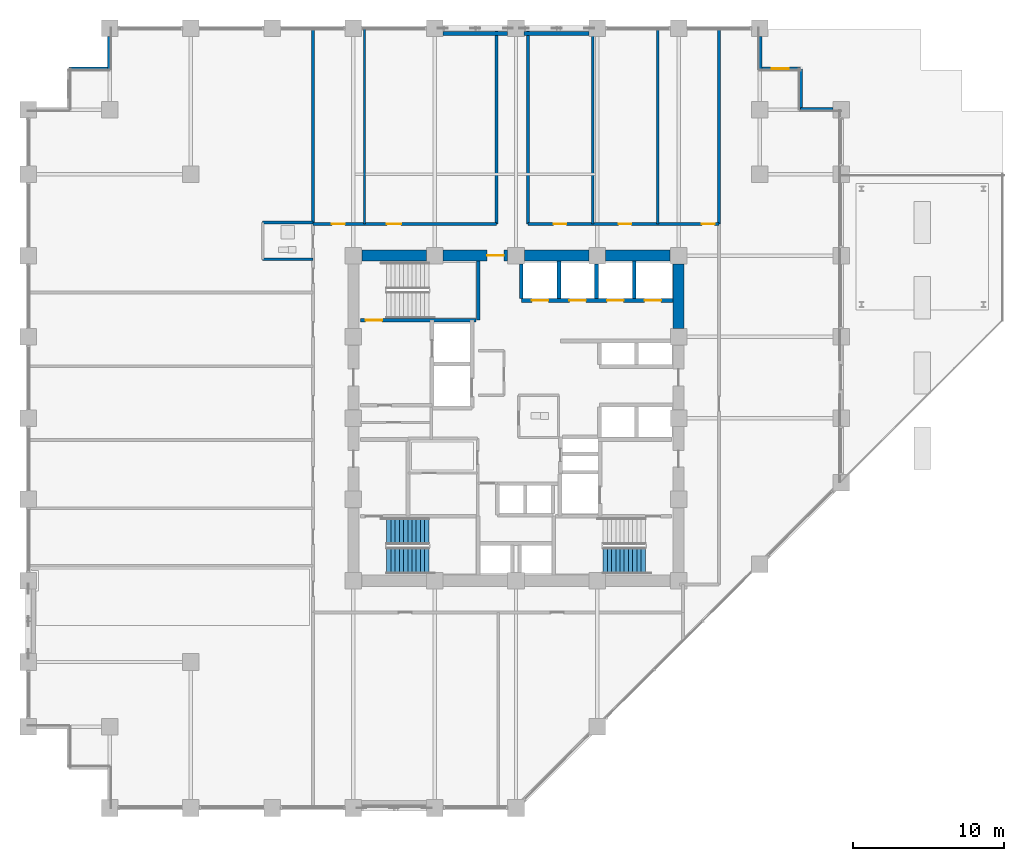
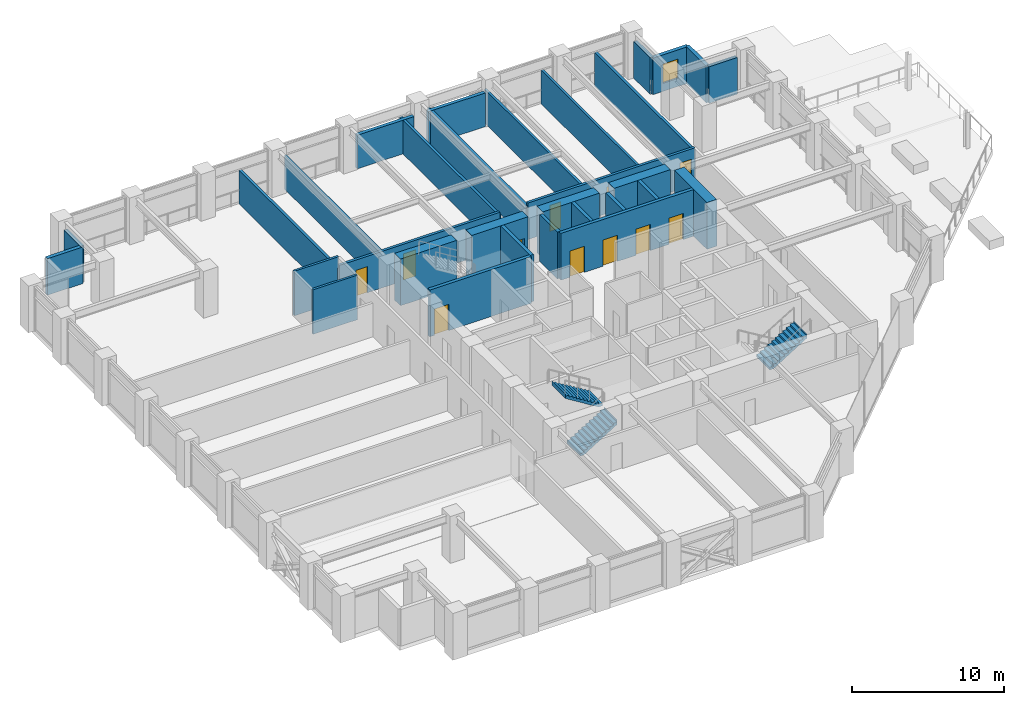
# One storey, part 22 of 30: 31 walls, 11 doors, 3 stair flights, 1 window, 12 openings, 2 elements without a shape of their own.
"""IFC4 building model written with IfcOpenShell, lengths in metres."""

from ifc_helpers import new_model, si_unit, direction, frame, frame_2d, origin, place, context, subcontext, project, spatial, polyline, rectangle, outline, extrude, material, layer, layer_set, type_object, element, fill, aggregate, save


model = new_model("IFC4")

# Units and contexts
model_context = context("Model", 3, precision=1e-05, world=origin(), true_north=direction((0.0, 1.0)))
body_context = subcontext(model_context, "Body", "Model", "MODEL_VIEW")
ifc_project = project(units=[si_unit("LENGTHUNIT", "METRE"), si_unit("AREAUNIT", "SQUARE_METRE"), si_unit("VOLUMEUNIT", "CUBIC_METRE"), si_unit("PLANEANGLEUNIT", "RADIAN"), si_unit("MASSUNIT", "GRAM", prefix="KILO")], contexts=[model_context])

# Site, building, storey
site_placement = place(None, origin())
site = spatial("IfcSite", under=ifc_project, at=site_placement, CompositionType="ELEMENT")
building_placement = place(site_placement, origin())
building = spatial("IfcBuilding", under=site, at=building_placement, Name="Surkhivell Harbour Commons", CompositionType="ELEMENT")
storey_placement = place(building_placement, frame((0.0, 0.0, 83.25)))
storey = spatial("IfcBuildingStorey", under=building, at=storey_placement, Name="L21", CompositionType="ELEMENT", Elevation=83.25)

# Wall
ifc_material_1 = material(Name="Concrete C60/75", Category="concrete")
ifc_layer_1 = layer(ifc_material_1, 0.75)
ifc_layer_set_1 = layer_set([ifc_layer_1], Name="Concrete C60/75")
wall_type_1 = type_object("IfcWallType", Name="WAL-CORE-750", PredefinedType="SHEAR", material=ifc_layer_set_1)
wall_1_placement = place(storey_placement, frame((-10.239990234375, 10.800048828125, 0.0), z_axis=(0.0, 0.0, 1.0), x_axis=(1.0, 0.0, 0.0)))
element("IfcWall", 1, at=wall_1_placement, inside=storey, type_object=wall_type_1, Name="L21 Core Shear Wall North 1", PredefinedType="SHEAR", context=body_context, shape_type="SweptSolid", body=[
    extrude(rectangle(XDim=4.280029296875, YDim=0.75, at=frame_2d((2.14013671875, 0.0))), origin(), (0.0, 0.0, 1.0), 3.75),
])

# Wall, opening, door
wall_2_placement = place(storey_placement, frame((-4.840087890625, 10.800048828125, 0.0), z_axis=(0.0, 0.0, 1.0), x_axis=(1.0, 0.0, 0.0)))
wall_2 = element("IfcWall", 2, at=wall_2_placement, inside=storey, type_object=wall_type_1, Name="L21 Core Shear Wall North 2", PredefinedType="SHEAR", context=body_context, shape_type="SweptSolid", body=[
    extrude(rectangle(XDim=4.280029296875, YDim=0.75, at=frame_2d((2.14013671875, 0.0))), origin(), (0.0, 0.0, 1.0), 3.75),
])
opening_1_placement = place(wall_2_placement, frame((2.929931640625, 0.0, 0.0)))
opening_1 = element("IfcOpeningElement", 3, at=opening_1_placement, cuts=wall_2, Name="Opening ID-2", PredefinedType="OPENING", context=body_context, shape_type="SweptSolid", body=[
    extrude(rectangle(XDim=1.10009765625, YDim=2.10009765625, at=frame_2d((0.550048828125, 1.050048828125))), frame((0.0, 0.385009765625, 0.0), z_axis=(0.0, -1.0, 0.0), x_axis=(1.0, 0.0, 0.0)), (0.0, 0.0, 1.0), 0.77001953125),
])
ifc_material_2 = material(Name="Hardwood-veneered fire-rated door leaf", Category="wood")
door_type_1 = type_object("IfcDoorType", Name="DOR-FD60-1100", OperationType="NOTDEFINED", PredefinedType="DOOR", material=ifc_material_2)
door_1_placement = place(opening_1_placement, origin())
door_1 = element("IfcDoor", 4, at=door_1_placement, inside=storey, type_object=door_type_1, Name="L21 Central Core Lift Hall North Corridor Door", OperationType="SINGLE_SWING_LEFT", OverallHeight=2.10009765625, OverallWidth=1.10009765625, PredefinedType="DOOR", context=body_context, shape_type="SweptSolid", body=[
    extrude(rectangle(XDim=1.10009765625, YDim=2.10009765625, at=frame_2d((0.550048828125, 1.050048828125))), frame((0.0, 0.02490234375, 0.0), z_axis=(0.0, -1.0, 0.0), x_axis=(1.0, 0.0, 0.0)), (0.0, 0.0, 1.0), 0.050048828125),
])
fill(opening_1, door_1)

# Walls
for number, where, z_axis, x_axis, name in (
    (5, (0.56005859375, 10.800048828125, 0.0), (0.0, 0.0, 1.0), (1.0, 0.0, 0.0), "L21 Core Shear Wall North 3"),
    (6, (5.9599609375, 10.800048828125, 0.0), (0.0, 0.0, 1.0), (1.0, 0.0, 0.0), "L21 Core Shear Wall North 4"),
    (7, (10.800048828125, 5.9599609375, 0.0), (0.0, 0.0, 1.0), (0.0, 1.0, 0.0), "L21 Core Shear Wall East 4"),
):
    element("IfcWall", number, at=place(storey_placement, frame(where, z_axis=z_axis, x_axis=x_axis)), inside=storey, type_object=wall_type_1, Name=name, PredefinedType="SHEAR", context=body_context, shape_type="SweptSolid", body=[
        extrude(rectangle(XDim=4.280029296875, YDim=0.75, at=frame_2d((2.14013671875, 0.0))), origin(), (0.0, 0.0, 1.0), 3.75),
    ])
ifc_material_3 = material(Name="Pale-metal insulated precast concrete C45/55", Category="concrete")
ifc_layer_2 = layer(ifc_material_3, 0.260009765625)
ifc_layer_set_2 = layer_set([ifc_layer_2], Name="Pale-metal insulated precast concrete C45/55")
wall_type_2 = type_object("IfcWallType", Name="WAL-EXT-MTL260", PredefinedType="STANDARD", material=ifc_layer_set_2)
for number, where, z_axis, x_axis, name in (
    (8, (-0.548095703125, 25.5400390625, 0.0), (0.0, 0.0, 1.0), (-1.0, 0.0, 0.0), "L21 Braced-Bay Insulated Spandrel Backing N"),
    (9, (4.85205078125, 25.5400390625, 0.0), (0.0, 0.0, 1.0), (-1.0, 0.0, 0.0), "L21 Braced-Bay Insulated Spandrel Backing N2"),
):
    element("IfcWall", number, at=place(storey_placement, frame(where, z_axis=z_axis, x_axis=x_axis)), inside=storey, type_object=wall_type_2, Name=name, PredefinedType="STANDARD", context=body_context, shape_type="SweptSolid", body=[
        extrude(rectangle(XDim=4.303955078125, YDim=0.260009765625, at=frame_2d((2.15185546875, 0.0))), origin(), (0.0, 0.0, 1.0), 2.698974609375),
    ])
ifc_material_4 = material(Name="Terracotta-clad reinforced concrete C45/55", Category="masonry")
ifc_layer_3 = layer(ifc_material_4, 0.280029296875)
ifc_layer_set_3 = layer_set([ifc_layer_3], Name="Terracotta-clad reinforced concrete C45/55")
wall_type_3 = type_object("IfcWallType", Name="WAL-EXT-TER280", PredefinedType="STANDARD", material=ifc_layer_set_3)
wall_3_placement = place(storey_placement, frame((21.052001953125, 20.5, 0.0), z_axis=(0.0, 0.0, 1.0), x_axis=(-1.0, 0.0, 0.0)))
element("IfcWall", 10, at=wall_3_placement, inside=storey, type_object=wall_type_3, Name="L21 Serrated Corner Facade Wall 03", PredefinedType="STANDARD", context=body_context, shape_type="SweptSolid", body=[
    extrude(rectangle(XDim=2.152099609375, YDim=0.280029296875, at=frame_2d((1.076171875, 0.0))), origin(), (0.0, 0.0, 1.0), 2.93310546875),
])
wall_4_placement = place(storey_placement, frame((18.89990234375, 20.5, 0.0), z_axis=(0.0, 0.0, 1.0), x_axis=(0.0, 1.0, 0.0)))
element("IfcWall", 11, at=wall_4_placement, inside=storey, type_object=wall_type_3, Name="L21 Serrated Corner Facade Wall 04", PredefinedType="STANDARD", context=body_context, shape_type="SweptSolid", body=[
    extrude(rectangle(XDim=2.699951171875, YDim=0.280029296875, at=frame_2d((1.35009765625, 0.0))), origin(), (0.0, 0.0, 1.0), 2.93310546875),
])

# Wall, opening, window
wall_5_placement = place(storey_placement, frame((18.89990234375, 23.199951171875, 0.0), z_axis=(0.0, 0.0, 1.0), x_axis=(-1.0, 0.0, 0.0)))
wall_5 = element("IfcWall", 12, at=wall_5_placement, inside=storey, type_object=wall_type_3, Name="L21 Serrated Corner Facade Wall 05", PredefinedType="STANDARD", context=body_context, shape_type="SweptSolid", body=[
    extrude(rectangle(XDim=2.699951171875, YDim=0.280029296875, at=frame_2d((1.35009765625, 0.0))), origin(), (0.0, 0.0, 1.0), 2.93310546875),
])
opening_2_placement = place(wall_5_placement, frame((0.77490234375, 0.0, 0.64990234375)))
opening_2 = element("IfcOpeningElement", 13, at=opening_2_placement, cuts=wall_5, Name="Opening WN-10", PredefinedType="OPENING", context=body_context, shape_type="SweptSolid", body=[
    extrude(rectangle(XDim=1.14990234375, YDim=1.550048828125, at=frame_2d((0.574951171875, 0.77490234375))), frame((0.0, 0.14990234375, 0.0), z_axis=(0.0, -1.0, 0.0), x_axis=(1.0, 0.0, 0.0)), (0.0, 0.0, 1.0), 0.300048828125),
])
ifc_material_5 = material(Name="Thermal-break aluminium frame and double low-E glazing", Category="aluminium")
window_type = type_object("IfcWindowType", Name="WIN-SER-1150x1550", PartitioningType="SINGLE_PANEL", PredefinedType="WINDOW", material=ifc_material_5)
window_placement = place(opening_2_placement, origin())
window = element("IfcWindow", 14, at=window_placement, inside=storey, type_object=window_type, Name="L21 Serrated Alcove Window 05", OverallHeight=1.550048828125, OverallWidth=1.14990234375, PartitioningType="SINGLE_PANEL", PredefinedType="WINDOW", context=body_context, shape_type="SweptSolid", body=[
    extrude(rectangle(XDim=1.14990234375, YDim=1.550048828125, at=frame_2d((0.574951171875, 0.77490234375))), frame((0.0, 0.030029296875, 0.0), z_axis=(0.0, -1.0, 0.0), x_axis=(1.0, 0.0, 0.0)), (0.0, 0.0, 1.0), 0.06005859375),
])
fill(opening_2, window)

# Walls
for number, where, z_axis, x_axis, name in (
    (15, (16.199951171875, 23.199951171875, 0.0), (0.0, 0.0, 1.0), (0.0, 1.0, 0.0), "L21 Serrated Corner Facade Wall 06"),
    (16, (-27.0, 25.35205078125, 0.0), (0.0, 0.0, 1.0), (0.0, -1.0, 0.0), "L21 Serrated Corner Facade Wall 08"),
):
    element("IfcWall", number, at=place(storey_placement, frame(where, z_axis=z_axis, x_axis=x_axis)), inside=storey, type_object=wall_type_3, Name=name, PredefinedType="STANDARD", context=body_context, shape_type="SweptSolid", body=[
        extrude(rectangle(XDim=2.152099609375, YDim=0.280029296875, at=frame_2d((1.076171875, 0.0))), origin(), (0.0, 0.0, 1.0), 2.93310546875),
    ])
wall_6_placement = place(storey_placement, frame((-27.0, 23.199951171875, 0.0), z_axis=(0.0, 0.0, 1.0), x_axis=(-1.0, 0.0, 0.0)))
element("IfcWall", 17, at=wall_6_placement, inside=storey, type_object=wall_type_3, Name="L21 Serrated Corner Facade Wall 09", PredefinedType="STANDARD", context=body_context, shape_type="SweptSolid", body=[
    extrude(rectangle(XDim=2.699951171875, YDim=0.280029296875, at=frame_2d((1.35009765625, 0.0))), origin(), (0.0, 0.0, 1.0), 2.93310546875),
])
ifc_material_6 = material(Name="Twin-stud acoustic fireboard partition", Category="other")
ifc_layer_4 = layer(ifc_material_6, 0.14990234375)
ifc_layer_set_4 = layer_set([ifc_layer_4], Name="Twin-stud acoustic fireboard partition")
wall_type_4 = type_object("IfcWallType", Name="WAL-INT-150", PredefinedType="PARTITIONING", material=ifc_layer_set_4)
wall_7_placement = place(storey_placement, frame((-10.070068359375, 12.89990234375, 0.0), z_axis=(0.0, 0.0, 1.0), x_axis=(0.0, 1.0, 0.0)))
element("IfcWall", 18, at=wall_7_placement, inside=storey, type_object=wall_type_4, Name="L21 North-West Partition P1", PredefinedType="PARTITIONING", context=body_context, shape_type="SweptSolid", body=[
    extrude(rectangle(XDim=12.940185546875, YDim=0.14990234375, at=frame_2d((6.47021484375, 0.0))), origin(), (0.0, 0.0, 1.0), 2.698974609375),
])
ifc_material_7 = material(Name="High-density acoustic blockwork fire partition", Category="masonry")
ifc_layer_5 = layer(ifc_material_7, 0.175048828125)
ifc_layer_set_5 = layer_set([ifc_layer_5], Name="High-density acoustic blockwork fire partition")
wall_type_5 = type_object("IfcWallType", Name="WAL-INT-175", PredefinedType="PARTITIONING", material=ifc_layer_set_5)
for number, where, z_axis, x_axis, name in (
    (19, (5.110107421875, 12.89990234375, 0.0), (0.0, 0.0, 1.0), (0.0, 1.0, 0.0), "L21 North-East Partition P1"),
    (20, (9.419921875, 12.89990234375, 0.0), (0.0, 0.0, 1.0), (0.0, 1.0, 0.0), "L21 North-East Partition P2"),
):
    element("IfcWall", number, at=place(storey_placement, frame(where, z_axis=z_axis, x_axis=x_axis)), inside=storey, type_object=wall_type_5, Name=name, PredefinedType="PARTITIONING", context=body_context, shape_type="SweptSolid", body=[
        extrude(rectangle(XDim=12.940185546875, YDim=0.175048828125, at=frame_2d((6.47021484375, 0.0))), origin(), (0.0, 0.0, 1.0), 2.698974609375),
    ])
for number, where, z_axis, x_axis, name in (
    (21, (-16.830078125, 13.0, 0.0), (0.0, 0.0, 1.0), (1.0, 0.0, 0.0), "L21 West Partition BTHN"),
    (22, (-16.830078125, 10.550048828125, 0.0), (0.0, 0.0, 1.0), (1.0, 0.0, 0.0), "L21 West Partition BTHS"),
):
    element("IfcWall", number, at=place(storey_placement, frame(where, z_axis=z_axis, x_axis=x_axis)), inside=storey, type_object=wall_type_5, Name=name, PredefinedType="PARTITIONING", context=body_context, shape_type="SweptSolid", body=[
        extrude(rectangle(XDim=3.35009765625, YDim=0.175048828125, at=frame_2d((1.675048828125, 0.0))), origin(), (0.0, 0.0, 1.0), 3.570068359375),
    ])
ifc_material_8 = material(Name="Autoclaved aerated concrete blockwork and fire plaster", Category="masonry")
ifc_layer_6 = layer(ifc_material_8, 0.199951171875)
ifc_layer_set_6 = layer_set([ifc_layer_6], Name="Autoclaved aerated concrete blockwork and fire plaster")
wall_type_6 = type_object("IfcWallType", Name="WAL-INT-200", PredefinedType="PARTITIONING", material=ifc_layer_set_6)
for number, where, z_axis, x_axis, name in (
    (23, (13.47998046875, 12.89990234375, 0.0), (0.0, 0.0, 1.0), (0.0, 1.0, 0.0), "L21 North-East Wing Corner Divider"),
    (24, (-13.47998046875, 12.89990234375, 0.0), (0.0, 0.0, 1.0), (0.0, 1.0, 0.0), "L21 North-West Wing Corner Divider"),
):
    element("IfcWall", number, at=place(storey_placement, frame(where, z_axis=z_axis, x_axis=x_axis)), inside=storey, type_object=wall_type_6, Name=name, PredefinedType="PARTITIONING", context=body_context, shape_type="SweptSolid", body=[
        extrude(rectangle(XDim=12.940185546875, YDim=0.199951171875, at=frame_2d((6.47021484375, 0.0))), origin(), (0.0, 0.0, 1.0), 2.698974609375),
    ])

# Wall, openings, doors
wall_8_placement = place(storey_placement, frame((-13.47998046875, 12.89990234375, 0.0), z_axis=(0.0, 0.0, 1.0), x_axis=(1.0, 0.0, 0.0)))
wall_8 = element("IfcWall", 25, at=wall_8_placement, inside=storey, type_object=wall_type_6, Name="L21 Corridor North-West Wall", PredefinedType="PARTITIONING", context=body_context, shape_type="SweptSolid", body=[
    extrude(rectangle(XDim=12.179931640625, YDim=0.199951171875, at=frame_2d((6.08984375, 0.0))), origin(), (0.0, 0.0, 1.0), 2.93310546875),
])
opening_3_placement = place(wall_8_placement, frame((1.2548828125, 0.0, 0.0)))
opening_3 = element("IfcOpeningElement", 26, at=opening_3_placement, cuts=wall_8, Name="Opening ID-6", PredefinedType="OPENING", context=body_context, shape_type="SweptSolid", body=[
    extrude(rectangle(XDim=0.85009765625, YDim=2.10009765625, at=frame_2d((0.425048828125, 1.050048828125))), frame((0.0, 0.10986328125, 0.0), z_axis=(0.0, -1.0, 0.0), x_axis=(1.0, 0.0, 0.0)), (0.0, 0.0, 1.0), 0.219970703125),
])
opening_4_placement = place(wall_8_placement, frame((4.89990234375, 0.0, 0.0)))
opening_4 = element("IfcOpeningElement", 27, at=opening_4_placement, cuts=wall_8, Name="Opening ID-4", PredefinedType="OPENING", context=body_context, shape_type="SweptSolid", body=[
    extrude(rectangle(XDim=0.949951171875, YDim=2.10009765625, at=frame_2d((0.47509765625, 1.050048828125))), frame((0.0, 0.10986328125, 0.0), z_axis=(0.0, -1.0, 0.0), x_axis=(1.0, 0.0, 0.0)), (0.0, 0.0, 1.0), 0.219970703125),
])
door_type_2 = type_object("IfcDoorType", Name="DOR-FD30-850", OperationType="NOTDEFINED", PredefinedType="DOOR", material=ifc_material_2)
door_2_placement = place(opening_3_placement, origin())
door_2 = element("IfcDoor", 28, at=door_2_placement, inside=storey, type_object=door_type_2, Name="L21 Shared Communal Kitchen A North-West Door", OperationType="SINGLE_SWING_LEFT", OverallHeight=2.10009765625, OverallWidth=0.85009765625, PredefinedType="DOOR", context=body_context, shape_type="SweptSolid", body=[
    extrude(rectangle(XDim=0.85009765625, YDim=2.10009765625, at=frame_2d((0.425048828125, 1.050048828125))), frame((0.0, 0.02490234375, 0.0), z_axis=(0.0, -1.0, 0.0), x_axis=(1.0, 0.0, 0.0)), (0.0, 0.0, 1.0), 0.050048828125),
])
fill(opening_3, door_2)
door_type_3 = type_object("IfcDoorType", Name="DOR-FD60-950", OperationType="NOTDEFINED", PredefinedType="DOOR", material=ifc_material_2)
door_3_placement = place(opening_4_placement, origin())
door_3 = element("IfcDoor", 29, at=door_3_placement, inside=storey, type_object=door_type_3, Name="L21 Shared Communal Kitchen B North-West Door", OperationType="SINGLE_SWING_RIGHT", OverallHeight=2.10009765625, OverallWidth=0.949951171875, PredefinedType="DOOR", context=body_context, shape_type="SweptSolid", body=[
    extrude(rectangle(XDim=0.949951171875, YDim=2.10009765625, at=frame_2d((0.47509765625, 1.050048828125))), frame((0.0, 0.02490234375, 0.0), z_axis=(0.0, -1.0, 0.0), x_axis=(1.0, 0.0, 0.0)), (0.0, 0.0, 1.0), 0.050048828125),
])
fill(opening_4, door_3)

wall_9_placement = place(storey_placement, frame((0.800048828125, 12.89990234375, 0.0), z_axis=(0.0, 0.0, 1.0), x_axis=(1.0, 0.0, 0.0)))
wall_9 = element("IfcWall", 30, at=wall_9_placement, inside=storey, type_object=wall_type_6, Name="L21 Corridor North-East Wall", PredefinedType="PARTITIONING", context=body_context, shape_type="SweptSolid", body=[
    extrude(rectangle(XDim=12.679931640625, YDim=0.199951171875, at=frame_2d((6.33984375, 0.0))), origin(), (0.0, 0.0, 1.0), 2.93310546875),
])
opening_5_placement = place(wall_9_placement, frame((1.705078125, 0.0, 0.0)))
opening_5 = element("IfcOpeningElement", 31, at=opening_5_placement, cuts=wall_9, Name="Opening ID-6", PredefinedType="OPENING", context=body_context, shape_type="SweptSolid", body=[
    extrude(rectangle(XDim=0.85009765625, YDim=2.10009765625, at=frame_2d((0.425048828125, 1.050048828125))), frame((0.0, 0.10986328125, 0.0), z_axis=(0.0, -1.0, 0.0), x_axis=(1.0, 0.0, 0.0)), (0.0, 0.0, 1.0), 0.219970703125),
])
opening_6_placement = place(wall_9_placement, frame((6.014892578125, 0.0, 0.0)))
opening_6 = element("IfcOpeningElement", 32, at=opening_6_placement, cuts=wall_9, Name="Opening ID-6", PredefinedType="OPENING", context=body_context, shape_type="SweptSolid", body=[
    extrude(rectangle(XDim=0.85009765625, YDim=2.10009765625, at=frame_2d((0.425048828125, 1.050048828125))), frame((0.0, 0.10986328125, 0.0), z_axis=(0.0, -1.0, 0.0), x_axis=(1.0, 0.0, 0.0)), (0.0, 0.0, 1.0), 0.219970703125),
])
opening_7_placement = place(wall_9_placement, frame((11.550048828125, 0.0, 0.0)))
opening_7 = element("IfcOpeningElement", 33, at=opening_7_placement, cuts=wall_9, Name="Opening ID-6", PredefinedType="OPENING", context=body_context, shape_type="SweptSolid", body=[
    extrude(rectangle(XDim=0.85009765625, YDim=2.10009765625, at=frame_2d((0.425048828125, 1.050048828125))), frame((0.0, 0.10986328125, 0.0), z_axis=(0.0, -1.0, 0.0), x_axis=(1.0, 0.0, 0.0)), (0.0, 0.0, 1.0), 0.219970703125),
])
door_4_placement = place(opening_5_placement, origin())
door_4 = element("IfcDoor", 34, at=door_4_placement, inside=storey, type_object=door_type_2, Name="L21 Academic Seminar Room 1 North-East Door", OperationType="SINGLE_SWING_LEFT", OverallHeight=2.10009765625, OverallWidth=0.85009765625, PredefinedType="DOOR", context=body_context, shape_type="SweptSolid", body=[
    extrude(rectangle(XDim=0.85009765625, YDim=2.10009765625, at=frame_2d((0.425048828125, 1.050048828125))), frame((0.0, 0.02490234375, 0.0), z_axis=(0.0, -1.0, 0.0), x_axis=(1.0, 0.0, 0.0)), (0.0, 0.0, 1.0), 0.050048828125),
])
fill(opening_5, door_4)
door_5_placement = place(opening_6_placement, origin())
door_5 = element("IfcDoor", 35, at=door_5_placement, inside=storey, type_object=door_type_2, Name="L21 Academic Seminar Room 2 North-East Door", OperationType="SINGLE_SWING_RIGHT", OverallHeight=2.10009765625, OverallWidth=0.85009765625, PredefinedType="DOOR", context=body_context, shape_type="SweptSolid", body=[
    extrude(rectangle(XDim=0.85009765625, YDim=2.10009765625, at=frame_2d((0.425048828125, 1.050048828125))), frame((0.0, 0.02490234375, 0.0), z_axis=(0.0, -1.0, 0.0), x_axis=(1.0, 0.0, 0.0)), (0.0, 0.0, 1.0), 0.050048828125),
])
fill(opening_6, door_5)
door_6_placement = place(opening_7_placement, origin())
door_6 = element("IfcDoor", 36, at=door_6_placement, inside=storey, type_object=door_type_2, Name="L21 Academic Seminar Room 3 North-East Door", OperationType="SINGLE_SWING_LEFT", OverallHeight=2.10009765625, OverallWidth=0.85009765625, PredefinedType="DOOR", context=body_context, shape_type="SweptSolid", body=[
    extrude(rectangle(XDim=0.85009765625, YDim=2.10009765625, at=frame_2d((0.425048828125, 1.050048828125))), frame((0.0, 0.02490234375, 0.0), z_axis=(0.0, -1.0, 0.0), x_axis=(1.0, 0.0, 0.0)), (0.0, 0.0, 1.0), 0.050048828125),
])
fill(opening_7, door_6)

# Walls
for number, where, z_axis, x_axis, name in (
    (37, (0.800048828125, 12.89990234375, 0.0), (0.0, 0.0, 1.0), (0.0, 1.0, 0.0), "L21 North Alcove East Wall"),
    (38, (-1.300048828125, 12.89990234375, 0.0), (0.0, 0.0, 1.0), (0.0, 1.0, 0.0), "L21 North Alcove West Wall"),
):
    element("IfcWall", number, at=place(storey_placement, frame(where, z_axis=z_axis, x_axis=x_axis)), inside=storey, type_object=wall_type_6, Name=name, PredefinedType="PARTITIONING", context=body_context, shape_type="SweptSolid", body=[
        extrude(rectangle(XDim=12.940185546875, YDim=0.199951171875, at=frame_2d((6.47021484375, 0.0))), origin(), (0.0, 0.0, 1.0), 2.698974609375),
    ])
ifc_material_9 = material(Name="Concrete C50/60", Category="concrete")
ifc_layer_7 = layer(ifc_material_9, 0.25)
ifc_layer_set_7 = layer_set([ifc_layer_7], Name="Concrete C50/60")
wall_type_7 = type_object("IfcWallType", Name="WAL-SHAFT-250", PredefinedType="SHEAR", material=ifc_layer_set_7)
wall_10_placement = place(storey_placement, frame((2.85009765625, 7.93994140625, 0.0), z_axis=(0.0, 0.0, 1.0), x_axis=(0.0, 1.0, 0.0)))
element("IfcWall", 39, at=wall_10_placement, inside=storey, type_object=wall_type_7, Name="L21 Low-Rise Hoistway Wall", PredefinedType="SHEAR", context=body_context, shape_type="SweptSolid", body=[
    extrude(rectangle(XDim=2.485107421875, YDim=0.25, at=frame_2d((1.24267578125, 0.0))), origin(), (0.0, 0.0, 1.0), 3.75),
])
for number, where, z_axis, x_axis, name in (
    (40, (0.35009765625, 7.93994140625, 0.0), (0.0, 0.0, 1.0), (0.0, 1.0, 0.0), "L21 Low-Rise Hoistway Wall"),
    (41, (5.35009765625, 7.93994140625, 0.0), (0.0, 0.0, 1.0), (0.0, 1.0, 0.0), "L21 Low-Rise Hoistway Wall"),
):
    element("IfcWall", number, at=place(storey_placement, frame(where, z_axis=z_axis, x_axis=x_axis)), inside=storey, type_object=wall_type_7, Name=name, PredefinedType="SHEAR", context=body_context, shape_type="SweptSolid", body=[
        extrude(rectangle(XDim=2.31005859375, YDim=0.25, at=frame_2d((1.155029296875, 0.0))), origin(), (0.0, 0.0, 1.0), 3.75),
    ])
wall_11_placement = place(storey_placement, frame((7.85009765625, 7.93994140625, 0.0), z_axis=(0.0, 0.0, 1.0), x_axis=(0.0, 1.0, 0.0)))
element("IfcWall", 42, at=wall_11_placement, inside=storey, type_object=wall_type_7, Name="L21 Low-Rise Hoistway Wall", PredefinedType="SHEAR", context=body_context, shape_type="SweptSolid", body=[
    extrude(rectangle(XDim=2.485107421875, YDim=0.25, at=frame_2d((1.24267578125, 0.0))), origin(), (0.0, 0.0, 1.0), 3.75),
])

# Wall, openings, doors
wall_12_placement = place(storey_placement, frame((0.35009765625, 7.820068359375, 0.0), z_axis=(0.0, 0.0, 1.0), x_axis=(1.0, 0.0, 0.0)))
wall_12 = element("IfcWall", 43, at=wall_12_placement, inside=storey, type_object=wall_type_7, Name="L21 Low-Rise Lift Front Shaft Wall", PredefinedType="SHEAR", context=body_context, shape_type="SweptSolid", body=[
    extrude(rectangle(XDim=10.074951171875, YDim=0.25, at=frame_2d((5.03759765625, 0.0))), origin(), (0.0, 0.0, 1.0), 3.75),
])
opening_8_placement = place(wall_12_placement, frame((0.699951171875, 0.0, 0.0)))
opening_8 = element("IfcOpeningElement", 44, at=opening_8_placement, cuts=wall_12, Name="Opening LD-1", PredefinedType="OPENING", context=body_context, shape_type="SweptSolid", body=[
    extrude(rectangle(XDim=1.10009765625, YDim=2.10009765625, at=frame_2d((0.550048828125, 1.050048828125))), frame((0.0, 0.135009765625, 0.0), z_axis=(0.0, -1.0, 0.0), x_axis=(1.0, 0.0, 0.0)), (0.0, 0.0, 1.0), 0.27001953125),
])
opening_9_placement = place(wall_12_placement, frame((3.199951171875, 0.0, 0.0)))
opening_9 = element("IfcOpeningElement", 45, at=opening_9_placement, cuts=wall_12, Name="Opening LD-1", PredefinedType="OPENING", context=body_context, shape_type="SweptSolid", body=[
    extrude(rectangle(XDim=1.10009765625, YDim=2.10009765625, at=frame_2d((0.550048828125, 1.050048828125))), frame((0.0, 0.135009765625, 0.0), z_axis=(0.0, -1.0, 0.0), x_axis=(1.0, 0.0, 0.0)), (0.0, 0.0, 1.0), 0.27001953125),
])
opening_10_placement = place(wall_12_placement, frame((5.699951171875, 0.0, 0.0)))
opening_10 = element("IfcOpeningElement", 46, at=opening_10_placement, cuts=wall_12, Name="Opening LD-1", PredefinedType="OPENING", context=body_context, shape_type="SweptSolid", body=[
    extrude(rectangle(XDim=1.10009765625, YDim=2.10009765625, at=frame_2d((0.550048828125, 1.050048828125))), frame((0.0, 0.135009765625, 0.0), z_axis=(0.0, -1.0, 0.0), x_axis=(1.0, 0.0, 0.0)), (0.0, 0.0, 1.0), 0.27001953125),
])
opening_11_placement = place(wall_12_placement, frame((8.199951171875, 0.0, 0.0)))
opening_11 = element("IfcOpeningElement", 47, at=opening_11_placement, cuts=wall_12, Name="Opening LD-1", PredefinedType="OPENING", context=body_context, shape_type="SweptSolid", body=[
    extrude(rectangle(XDim=1.10009765625, YDim=2.10009765625, at=frame_2d((0.550048828125, 1.050048828125))), frame((0.0, 0.135009765625, 0.0), z_axis=(0.0, -1.0, 0.0), x_axis=(1.0, 0.0, 0.0)), (0.0, 0.0, 1.0), 0.27001953125),
])
ifc_material_10 = material(Name="Brushed stainless steel S355", Category="steel")
door_type_4 = type_object("IfcDoorType", Name="DOR-LD-1100", OperationType="SLIDING_TO_LEFT", PredefinedType="DOOR", material=ifc_material_10)
door_7_placement = place(opening_8_placement, origin())
door_7 = element("IfcDoor", 48, at=door_7_placement, inside=storey, type_object=door_type_4, Name="L21 Lift Landing Door LD-PL1", OperationType="SLIDING_TO_LEFT", OverallHeight=2.10009765625, OverallWidth=1.10009765625, PredefinedType="DOOR", context=body_context, shape_type="SweptSolid", body=[
    extrude(rectangle(XDim=1.10009765625, YDim=2.10009765625, at=frame_2d((0.550048828125, 1.050048828125))), frame((0.0, 0.02490234375, 0.0), z_axis=(0.0, -1.0, 0.0), x_axis=(1.0, 0.0, 0.0)), (0.0, 0.0, 1.0), 0.050048828125),
])
fill(opening_8, door_7)
door_8_placement = place(opening_9_placement, origin())
door_8 = element("IfcDoor", 49, at=door_8_placement, inside=storey, type_object=door_type_4, Name="L21 Lift Landing Door LD-PL2", OperationType="SLIDING_TO_LEFT", OverallHeight=2.10009765625, OverallWidth=1.10009765625, PredefinedType="DOOR", context=body_context, shape_type="SweptSolid", body=[
    extrude(rectangle(XDim=1.10009765625, YDim=2.10009765625, at=frame_2d((0.550048828125, 1.050048828125))), frame((0.0, 0.02490234375, 0.0), z_axis=(0.0, -1.0, 0.0), x_axis=(1.0, 0.0, 0.0)), (0.0, 0.0, 1.0), 0.050048828125),
])
fill(opening_9, door_8)
door_9_placement = place(opening_10_placement, origin())
door_9 = element("IfcDoor", 50, at=door_9_placement, inside=storey, type_object=door_type_4, Name="L21 Lift Landing Door LD-PL3", OperationType="SLIDING_TO_LEFT", OverallHeight=2.10009765625, OverallWidth=1.10009765625, PredefinedType="DOOR", context=body_context, shape_type="SweptSolid", body=[
    extrude(rectangle(XDim=1.10009765625, YDim=2.10009765625, at=frame_2d((0.550048828125, 1.050048828125))), frame((0.0, 0.02490234375, 0.0), z_axis=(0.0, -1.0, 0.0), x_axis=(1.0, 0.0, 0.0)), (0.0, 0.0, 1.0), 0.050048828125),
])
fill(opening_10, door_9)
door_10_placement = place(opening_11_placement, origin())
door_10 = element("IfcDoor", 51, at=door_10_placement, inside=storey, type_object=door_type_4, Name="L21 Lift Landing Door LD-PL4", OperationType="SLIDING_TO_LEFT", OverallHeight=2.10009765625, OverallWidth=1.10009765625, PredefinedType="DOOR", context=body_context, shape_type="SweptSolid", body=[
    extrude(rectangle(XDim=1.10009765625, YDim=2.10009765625, at=frame_2d((0.550048828125, 1.050048828125))), frame((0.0, 0.02490234375, 0.0), z_axis=(0.0, -1.0, 0.0), x_axis=(1.0, 0.0, 0.0)), (0.0, 0.0, 1.0), 0.050048828125),
])
fill(opening_11, door_10)

# Wall
wall_13_placement = place(storey_placement, frame((-2.510009765625, 6.510009765625, 0.0), z_axis=(0.0, 0.0, 1.0), x_axis=(0.0, 1.0, 0.0)))
element("IfcWall", 52, at=wall_13_placement, inside=storey, type_object=wall_type_7, Name="L21 Stair ST1 East Shear Wall", PredefinedType="SHEAR", context=body_context, shape_type="SweptSolid", body=[
    extrude(rectangle(XDim=3.9150390625, YDim=0.25, at=frame_2d((1.95751953125, 0.0))), origin(), (0.0, 0.0, 1.0), 3.75),
])

# Wall, opening, door
wall_14_placement = place(storey_placement, frame((-10.340087890625, 6.510009765625, 0.0), z_axis=(0.0, 0.0, 1.0), x_axis=(1.0, 0.0, 0.0)))
wall_14 = element("IfcWall", 53, at=wall_14_placement, inside=storey, type_object=wall_type_7, Name="L21 Stair ST1 South Shear Wall", PredefinedType="SHEAR", context=body_context, shape_type="SweptSolid", body=[
    extrude(rectangle(XDim=7.7001953125, YDim=0.25, at=frame_2d((3.85009765625, 0.0))), origin(), (0.0, 0.0, 1.0), 3.75),
])
opening_12_placement = place(wall_14_placement, frame((0.35009765625, 0.0, 0.0)))
opening_12 = element("IfcOpeningElement", 54, at=opening_12_placement, cuts=wall_14, Name="Opening ID-2", PredefinedType="OPENING", context=body_context, shape_type="SweptSolid", body=[
    extrude(rectangle(XDim=1.10009765625, YDim=2.10009765625, at=frame_2d((0.550048828125, 1.050048828125))), frame((0.0, 0.135009765625, 0.0), z_axis=(0.0, -1.0, 0.0), x_axis=(1.0, 0.0, 0.0)), (0.0, 0.0, 1.0), 0.27001953125),
])
door_11_placement = place(opening_12_placement, origin())
door_11 = element("IfcDoor", 55, at=door_11_placement, inside=storey, type_object=door_type_1, Name="L21 Stair ST1 Exit Door", OperationType="SINGLE_SWING_LEFT", OverallHeight=2.10009765625, OverallWidth=1.10009765625, PredefinedType="DOOR", context=body_context, shape_type="SweptSolid", body=[
    extrude(rectangle(XDim=1.10009765625, YDim=2.10009765625, at=frame_2d((0.550048828125, 1.050048828125))), frame((0.0, 0.02490234375, 0.0), z_axis=(0.0, -1.0, 0.0), x_axis=(1.0, 0.0, 0.0)), (0.0, 0.0, 1.0), 0.050048828125),
])
fill(opening_12, door_11)

# Stair, stair flight
ifc_material_11 = material(Name="Precast concrete C45/55", Category="concrete")
stair_type = type_object("IfcStairType", Name="STR-DL-375", PredefinedType="HALF_TURN_STAIR", material=ifc_material_11)
stair_1_placement = place(storey_placement, origin())
stair_1 = element("IfcStair", 56, at=stair_1_placement, inside=storey, type_object=stair_type, Name="L21 Core Exit Stair ST2", PredefinedType="HALF_TURN_STAIR")
stair_flight_type = type_object("IfcStairFlightType", Name="STF-DL-375", PredefinedType="STRAIGHT", material=ifc_material_11)
stair_flight_1_placement = place(storey_placement, frame((5.7900390625, -9.465087890625, 1.875), z_axis=(0.0, 0.0, 1.0), x_axis=(1.0, 0.0, 0.0)))
stair_flight_1 = element("IfcStairFlight", 57, at=stair_flight_1_placement, type_object=stair_flight_type, Name="ST2 flight 2", NumberOfRisers=11, NumberOfTreads=10, PredefinedType="STRAIGHT", RiserHeight=0.170454545, TreadLength=0.28, context=body_context, shape_type="SweptSolid", body=[
    extrude(outline(polyline([(-0.0029296875, -0.034912109375), (-0.0029296875, 0.0), (0.0, 0.0), (0.0, 0.17041015625), (0.280029296875, 0.17041015625), (0.280029296875, 0.3408203125), (0.56005859375, 0.3408203125), (0.56005859375, 0.511474609375), (0.840087890625, 0.511474609375), (0.840087890625, 0.681884765625), (1.1201171875, 0.681884765625), (1.1201171875, 0.852294921875), (1.39990234375, 0.852294921875), (1.39990234375, 1.022705078125), (1.679931640625, 1.022705078125), (1.679931640625, 1.193115234375), (1.9599609375, 1.193115234375), (1.9599609375, 1.363525390625), (2.239990234375, 1.363525390625), (2.239990234375, 1.5341796875), (2.52001953125, 1.5341796875), (2.52001953125, 1.70458984375), (2.800048828125, 1.70458984375), (2.800048828125, 1.875), (2.802978515625, 1.875), (2.802978515625, 1.529052734375), (0.288330078125, -0.034912109375), (-0.0029296875, -0.034912109375)])), frame((0.0, 0.875, 0.0), z_axis=(0.0, -1.0, 0.0), x_axis=(1.0, 0.0, 0.0)), (0.0, 0.0, 1.0), 1.75),
])
aggregate(stair_1, [stair_flight_1])

# Stair, stair flights
stair_2_placement = place(storey_placement, origin())
stair_2 = element("IfcStair", 58, at=stair_2_placement, inside=storey, type_object=stair_type, Name="L21 Core Exit Stair ST3", PredefinedType="HALF_TURN_STAIR")
stair_flight_2_placement = place(storey_placement, frame((-8.590087890625, -9.465087890625, 0.0), z_axis=(0.0, 0.0, 1.0), x_axis=(1.0, 0.0, 0.0)))
stair_flight_2 = element("IfcStairFlight", 59, at=stair_flight_2_placement, type_object=stair_flight_type, Name="ST3 flight 1", NumberOfRisers=11, NumberOfTreads=10, PredefinedType="STRAIGHT", RiserHeight=0.170454545, TreadLength=0.28, context=body_context, shape_type="SweptSolid", body=[
    extrude(outline(polyline([(-0.0029296875, -0.034912109375), (-0.0029296875, 0.0), (0.0, 0.0), (0.0, 0.17041015625), (0.280029296875, 0.17041015625), (0.280029296875, 0.3408203125), (0.56005859375, 0.3408203125), (0.56005859375, 0.511474609375), (0.840087890625, 0.511474609375), (0.840087890625, 0.681884765625), (1.1201171875, 0.681884765625), (1.1201171875, 0.852294921875), (1.39990234375, 0.852294921875), (1.39990234375, 1.022705078125), (1.679931640625, 1.022705078125), (1.679931640625, 1.193115234375), (1.9599609375, 1.193115234375), (1.9599609375, 1.363525390625), (2.239990234375, 1.363525390625), (2.239990234375, 1.5341796875), (2.52001953125, 1.5341796875), (2.52001953125, 1.70458984375), (2.800048828125, 1.70458984375), (2.800048828125, 1.875), (2.802978515625, 1.875), (2.802978515625, 1.529052734375), (0.288330078125, -0.034912109375), (-0.0029296875, -0.034912109375)])), frame((0.0, 0.875, 0.0), z_axis=(0.0, -1.0, 0.0), x_axis=(1.0, 0.0, 0.0)), (0.0, 0.0, 1.0), 1.75),
])
stair_flight_3_placement = place(storey_placement, frame((-5.7900390625, -7.514892578125, 1.875), z_axis=(0.0, 0.0, 1.0), x_axis=(-1.0, 0.0, 0.0)))
stair_flight_3 = element("IfcStairFlight", 60, at=stair_flight_3_placement, type_object=stair_flight_type, Name="ST3 flight 2", NumberOfRisers=11, NumberOfTreads=10, PredefinedType="STRAIGHT", RiserHeight=0.170454545, TreadLength=0.28, context=body_context, shape_type="SweptSolid", body=[
    extrude(outline(polyline([(-0.0029296875, -0.034912109375), (-0.0029296875, 0.0), (0.0, 0.0), (0.0, 0.17041015625), (0.280029296875, 0.17041015625), (0.280029296875, 0.3408203125), (0.56005859375, 0.3408203125), (0.56005859375, 0.511474609375), (0.840087890625, 0.511474609375), (0.840087890625, 0.681884765625), (1.1201171875, 0.681884765625), (1.1201171875, 0.852294921875), (1.39990234375, 0.852294921875), (1.39990234375, 1.022705078125), (1.679931640625, 1.022705078125), (1.679931640625, 1.193115234375), (1.9599609375, 1.193115234375), (1.9599609375, 1.363525390625), (2.239990234375, 1.363525390625), (2.239990234375, 1.5341796875), (2.52001953125, 1.5341796875), (2.52001953125, 1.70458984375), (2.800048828125, 1.70458984375), (2.800048828125, 1.875), (2.802978515625, 1.875), (2.802978515625, 1.529052734375), (0.288330078125, -0.034912109375), (-0.0029296875, -0.034912109375)])), frame((0.0, 0.875, 0.0), z_axis=(0.0, -1.0, 0.0), x_axis=(1.0, 0.0, 0.0)), (0.0, 0.0, 1.0), 1.75),
])
aggregate(stair_2, [stair_flight_2, stair_flight_3])

save(model, "model.ifc")
